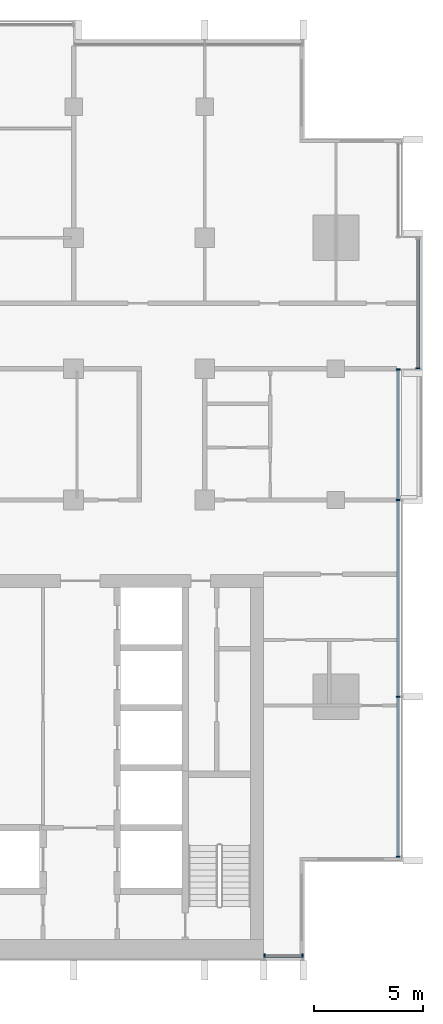
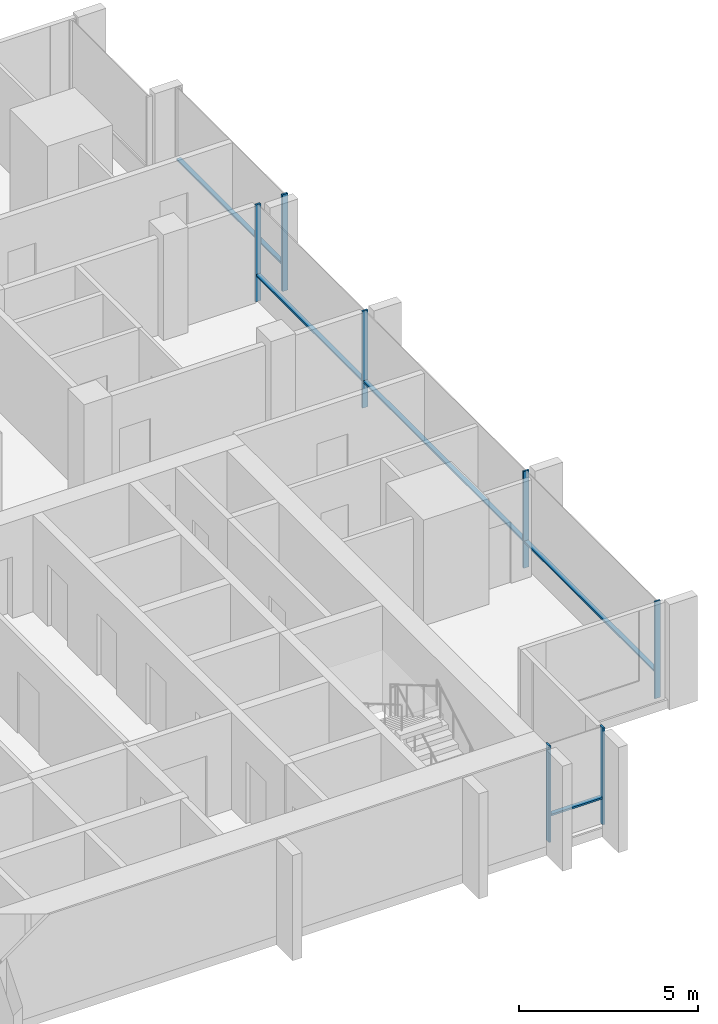
# One storey, part 3 of 15: 12 members, 3 elements without a shape of their own.
"""IFC4 building model written with IfcOpenShell, lengths in metres."""

from ifc_helpers import new_model, si_unit, direction, frame, origin, origin_2d, place, context, subcontext, project, spatial, rectangle, extrude, material, material_profile, profile_set, type_object, element, aggregate, save


model = new_model("IFC4")

# Units and contexts
model_context = context("Model", 3, precision=1e-05, world=origin(), true_north=direction((0.0, 1.0)))
body_context = subcontext(model_context, "Body", "Model", "MODEL_VIEW")
ifc_project = project(units=[si_unit("LENGTHUNIT", "METRE"), si_unit("AREAUNIT", "SQUARE_METRE"), si_unit("VOLUMEUNIT", "CUBIC_METRE"), si_unit("PLANEANGLEUNIT", "RADIAN"), si_unit("MASSUNIT", "GRAM", prefix="KILO")], contexts=[model_context])

# Site, building, storey
site_placement = place(None, origin())
site = spatial("IfcSite", under=ifc_project, at=site_placement, CompositionType="ELEMENT")
building_placement = place(site_placement, origin())
building = spatial("IfcBuilding", under=site, at=building_placement, Name="Finial Court Residences", CompositionType="ELEMENT")
storey_placement = place(building_placement, frame((0.0, 0.0, 226.699951171875)))
storey = spatial("IfcBuildingStorey", under=building, at=storey_placement, Name="L57", CompositionType="ELEMENT", Elevation=226.699951171875)

# Curtain wall, members
ifc_material = material(Name="Bronze anodised aluminium", Category="aluminium")
curtain_wall_type = type_object("IfcCurtainWallType", Name="Unitised curtain wall, upper zones", PredefinedType="NOTDEFINED", material=ifc_material)
curtain_wall_1_placement = place(storey_placement, origin())
curtain_wall_1 = element("IfcCurtainWall", 1, at=curtain_wall_1_placement, inside=storey, type_object=curtain_wall_type, Name="E-L57-CW-E4", PredefinedType="NOTDEFINED")
ifc_material_profile_1 = material_profile(ifc_material, rectangle(XDim=0.175048828125, YDim=0.06005859375, at=origin_2d()), Name="CW2 mullion 60 x 175")
ifc_profile_set_1 = profile_set([ifc_material_profile_1], Name="Bronze anodised aluminium")
member_type_1 = type_object("IfcMemberType", Name="CW2 mullion 60 x 175", PredefinedType="MULLION", material=ifc_profile_set_1)
member_1_placement = place(storey_placement, frame((19.35009765625, -20.820068359375, 0.0), z_axis=(0.0, 0.0, 1.0), x_axis=(-1.0, 0.0, 0.0)))
member_1 = element("IfcMember", 2, at=member_1_placement, type_object=member_type_1, Name="CW2 mullion 1", PredefinedType="MULLION", context=body_context, shape_type="SweptSolid", body=[
    extrude(rectangle(XDim=0.175048828125, YDim=0.06005859375, at=origin_2d()), origin(), (0.0, 0.0, 1.0), 3.300048828125),
])
member_2_placement = place(storey_placement, frame((19.35009765625, -13.5, 0.0), z_axis=(0.0, 0.0, 1.0), x_axis=(-1.0, 0.0, 0.0)))
member_2 = element("IfcMember", 3, at=member_2_placement, type_object=member_type_1, Name="CW2 mullion 2", PredefinedType="MULLION", context=body_context, shape_type="SweptSolid", body=[
    extrude(rectangle(XDim=0.175048828125, YDim=0.06005859375, at=origin_2d()), origin(), (0.0, 0.0, 1.0), 3.300048828125),
])
member_3_placement = place(storey_placement, frame((19.35009765625, -4.5, 0.0), z_axis=(0.0, 0.0, 1.0), x_axis=(-1.0, 0.0, 0.0)))
member_3 = element("IfcMember", 4, at=member_3_placement, type_object=member_type_1, Name="CW2 mullion 3", PredefinedType="MULLION", context=body_context, shape_type="SweptSolid", body=[
    extrude(rectangle(XDim=0.175048828125, YDim=0.06005859375, at=origin_2d()), origin(), (0.0, 0.0, 1.0), 3.300048828125),
])
member_4_placement = place(storey_placement, frame((19.35009765625, 1.469970703125, 0.0), z_axis=(0.0, 0.0, 1.0), x_axis=(-1.0, 0.0, 0.0)))
member_4 = element("IfcMember", 5, at=member_4_placement, type_object=member_type_1, Name="CW2 mullion 4", PredefinedType="MULLION", context=body_context, shape_type="SweptSolid", body=[
    extrude(rectangle(XDim=0.175048828125, YDim=0.06005859375, at=origin_2d()), origin(), (0.0, 0.0, 1.0), 3.300048828125),
])

# Curtain wall, member
curtain_wall_2_placement = place(storey_placement, origin())
curtain_wall_2 = element("IfcCurtainWall", 6, at=curtain_wall_2_placement, inside=storey, type_object=curtain_wall_type, Name="E-L57-CW-E5", PredefinedType="NOTDEFINED")
member_5_placement = place(storey_placement, frame((20.25, 1.530029296875, 0.0), z_axis=(0.0, 0.0, 1.0), x_axis=(-1.0, 0.0, 0.0)))
member_5 = element("IfcMember", 7, at=member_5_placement, type_object=member_type_1, Name="CW2 mullion 1", PredefinedType="MULLION", context=body_context, shape_type="SweptSolid", body=[
    extrude(rectangle(XDim=0.175048828125, YDim=0.06005859375, at=origin_2d()), origin(), (0.0, 0.0, 1.0), 3.300048828125),
])

# Curtain wall, members
curtain_wall_3_placement = place(storey_placement, origin())
curtain_wall_3 = element("IfcCurtainWall", 8, at=curtain_wall_3_placement, inside=storey, type_object=curtain_wall_type, Name="E-L57-CW-S8", PredefinedType="NOTDEFINED")
member_6_placement = place(storey_placement, frame((13.22998046875, -25.35009765625, 0.0), z_axis=(0.0, 0.0, 1.0), x_axis=(0.0, 1.0, 0.0)))
member_6 = element("IfcMember", 9, at=member_6_placement, type_object=member_type_1, Name="CW2 mullion 1", PredefinedType="MULLION", context=body_context, shape_type="SweptSolid", body=[
    extrude(rectangle(XDim=0.175048828125, YDim=0.06005859375, at=origin_2d()), origin(), (0.0, 0.0, 1.0), 3.300048828125),
])
member_7_placement = place(storey_placement, frame((14.969970703125, -25.35009765625, 0.0), z_axis=(0.0, 0.0, 1.0), x_axis=(0.0, 1.0, 0.0)))
member_7 = element("IfcMember", 10, at=member_7_placement, type_object=member_type_1, Name="CW2 mullion 2", PredefinedType="MULLION", context=body_context, shape_type="SweptSolid", body=[
    extrude(rectangle(XDim=0.175048828125, YDim=0.06005859375, at=origin_2d()), origin(), (0.0, 0.0, 1.0), 3.300048828125),
])

# Member
ifc_material_profile_2 = material_profile(ifc_material, rectangle(XDim=0.139892578125, YDim=0.06005859375, at=origin_2d()), Name="CW2 transom 60 x 140")
ifc_profile_set_2 = profile_set([ifc_material_profile_2], Name="Bronze anodised aluminium")
member_type_2 = type_object("IfcMemberType", Name="CW2 transom 60 x 140", PredefinedType="USERDEFINED", material=ifc_profile_set_2)
member_8_placement = place(storey_placement, frame((19.35009765625, -20.7900390625, 0.900146484375), z_axis=(0.0, 1.0, 0.0), x_axis=(-1.0, 0.0, 0.0)))
member_8 = element("IfcMember", 11, at=member_8_placement, type_object=member_type_2, Name="CW2 transom 1.1", ObjectType="TRANSOM", PredefinedType="USERDEFINED", context=body_context, shape_type="SweptSolid", body=[
    extrude(rectangle(XDim=0.139892578125, YDim=0.06005859375, at=origin_2d()), origin(), (0.0, 0.0, 1.0), 7.260009765625),
])

member_9_placement = place(storey_placement, frame((19.35009765625, -13.469970703125, 0.900146484375), z_axis=(0.0, 1.0, 0.0), x_axis=(-1.0, 0.0, 0.0)))
member_9 = element("IfcMember", 12, at=member_9_placement, type_object=member_type_2, Name="CW2 transom 2.1", ObjectType="TRANSOM", PredefinedType="USERDEFINED", context=body_context, shape_type="SweptSolid", body=[
    extrude(rectangle(XDim=0.139892578125, YDim=0.06005859375, at=origin_2d()), origin(), (0.0, 0.0, 1.0), 8.93994140625),
])

member_10_placement = place(storey_placement, frame((19.35009765625, -4.469970703125, 0.900146484375), z_axis=(0.0, 1.0, 0.0), x_axis=(-1.0, 0.0, 0.0)))
member_10 = element("IfcMember", 13, at=member_10_placement, type_object=member_type_2, Name="CW2 transom 3.1", ObjectType="TRANSOM", PredefinedType="USERDEFINED", context=body_context, shape_type="SweptSolid", body=[
    extrude(rectangle(XDim=0.139892578125, YDim=0.06005859375, at=origin_2d()), origin(), (0.0, 0.0, 1.0), 5.909912109375),
])

aggregate(curtain_wall_1, [member_1, member_2, member_3, member_4, member_8, member_9, member_10])

member_11_placement = place(storey_placement, frame((20.25, 1.56005859375, 0.900146484375), z_axis=(0.0, 1.0, 0.0), x_axis=(-1.0, 0.0, 0.0)))
member_11 = element("IfcMember", 14, at=member_11_placement, type_object=member_type_2, Name="CW2 transom 1.1", ObjectType="TRANSOM", PredefinedType="USERDEFINED", context=body_context, shape_type="SweptSolid", body=[
    extrude(rectangle(XDim=0.139892578125, YDim=0.06005859375, at=origin_2d()), origin(), (0.0, 0.0, 1.0), 5.8798828125),
])

aggregate(curtain_wall_2, [member_5, member_11])

member_12_placement = place(storey_placement, frame((13.260009765625, -25.35009765625, 0.900146484375), z_axis=(1.0, 0.0, 0.0), x_axis=(0.0, 1.0, 0.0)))
member_12 = element("IfcMember", 15, at=member_12_placement, type_object=member_type_2, Name="CW2 transom 1.1", ObjectType="TRANSOM", PredefinedType="USERDEFINED", context=body_context, shape_type="SweptSolid", body=[
    extrude(rectangle(XDim=0.139892578125, YDim=0.06005859375, at=origin_2d()), origin(), (0.0, 0.0, 1.0), 1.679931640625),
])

aggregate(curtain_wall_3, [member_6, member_7, member_12])

save(model, "model.ifc")
